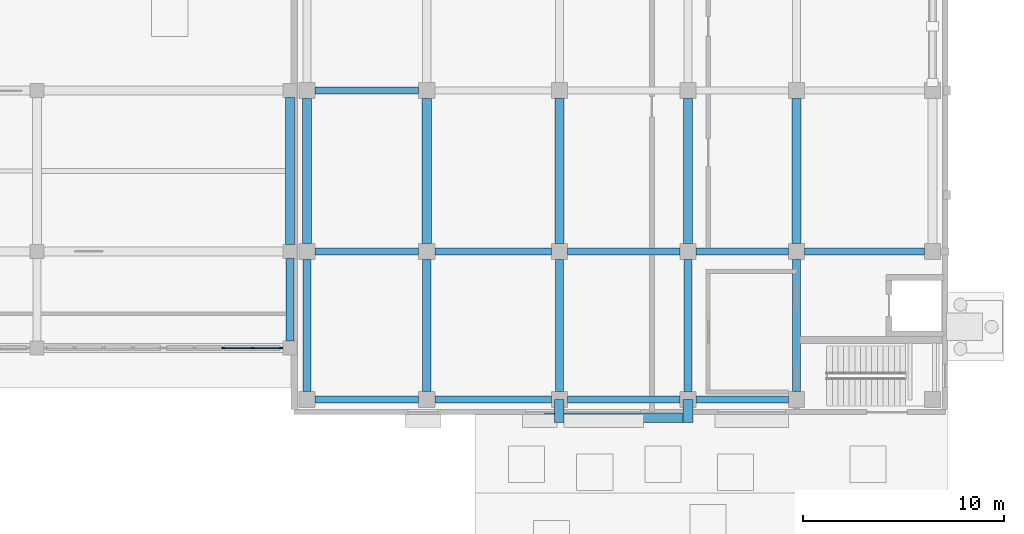
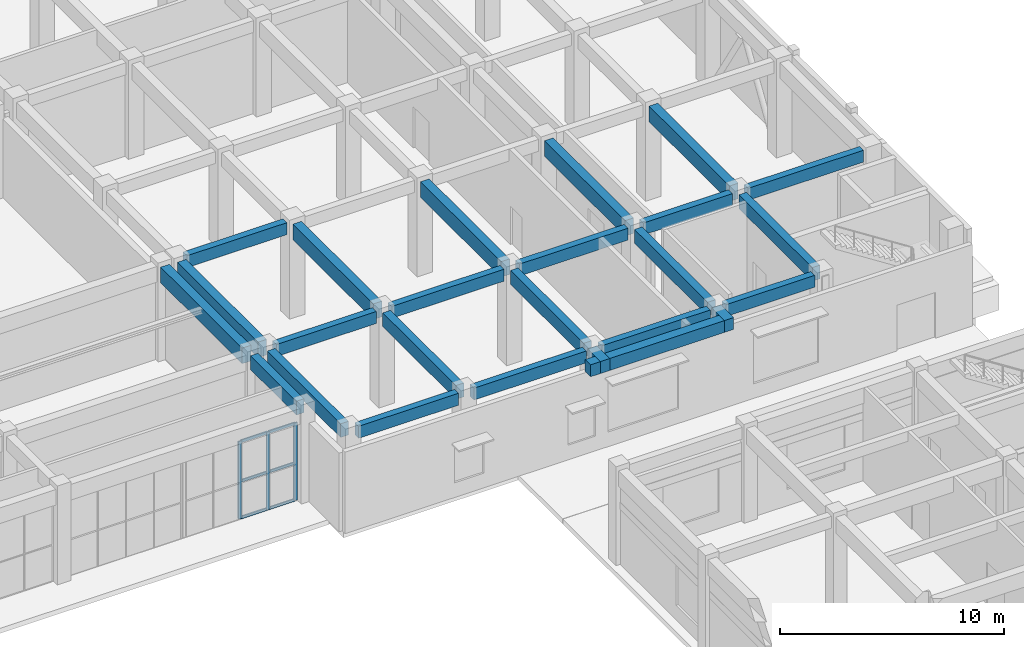
# One storey, part 20 of 46: 25 beams, 9 members, 1 element without a shape of its own.
"""IFC4 building model written with IfcOpenShell, lengths in metres."""

from ifc_helpers import new_model, si_unit, direction, frame, origin, origin_2d, place, context, subcontext, project, spatial, rectangle, extrude, material, layer, layer_set, material_profile, profile_set, type_object, element, aggregate, save


model = new_model("IFC4")

# Units and contexts
model_context = context("Model", 3, precision=1e-05, world=origin(), true_north=direction((0.0, 1.0)))
body_context = subcontext(model_context, "Body", "Model", "MODEL_VIEW")
ifc_project = project(units=[si_unit("LENGTHUNIT", "METRE"), si_unit("AREAUNIT", "SQUARE_METRE"), si_unit("VOLUMEUNIT", "CUBIC_METRE"), si_unit("PLANEANGLEUNIT", "RADIAN"), si_unit("MASSUNIT", "GRAM", prefix="KILO")], contexts=[model_context])

# Site, building, storey
site_placement = place(None, origin())
site = spatial("IfcSite", under=ifc_project, at=site_placement, CompositionType="ELEMENT")
building_placement = place(site_placement, origin())
building = spatial("IfcBuilding", under=site, at=building_placement, Name="Cinchona Park Media Centre", CompositionType="ELEMENT")
storey_placement = place(building_placement, origin())
storey = spatial("IfcBuildingStorey", under=building, at=storey_placement, Name="L00", CompositionType="ELEMENT", Elevation=0.0)

# Beams
ifc_material_1 = material(Name="Concrete C35/45", Category="concrete")
ifc_material_profile_1 = material_profile(ifc_material_1, rectangle(XDim=0.39990234375, YDim=0.75, at=origin_2d()), Name="RB 400X750")
ifc_profile_set_1 = profile_set([ifc_material_profile_1], Name="Concrete C35/45")
beam_type_1 = type_object("IfcBeamType", Name="BEAM-B01-RB400X750", PredefinedType="BEAM", material=ifc_profile_set_1)
beam_1_placement = place(storey_placement, frame((139.39990234375, 75.14990234375, 4.764892578125), z_axis=(0.0, 1.0, 0.0), x_axis=(-1.0, 0.0, 0.0)))
element("IfcBeam", 1, at=beam_1_placement, inside=storey, type_object=beam_type_1, Name="Girder B01 L00", PredefinedType="BEAM", context=body_context, shape_type="SweptSolid", body=[
    extrude(rectangle(XDim=0.39990234375, YDim=0.75, at=origin_2d()), origin(), (0.0, 0.0, 1.0), 4.10009765625),
])
for number, where, z_axis, x_axis, name in (
    (2, (140.239990234375, 72.639892578125, 4.764892578125), (0.0, 1.0, 0.0), (-1.0, 0.0, 0.0), "Girder B01 L00"),
    (3, (146.199951171875, 72.639892578125, 4.764892578125), (0.0, 1.0, 0.0), (-1.0, 0.0, 0.0), "Girder B01 L00"),
    (4, (152.800048828125, 72.639892578125, 4.764892578125), (0.0, 1.0, 0.0), (-1.0, 0.0, 0.0), "Girder B01 L00"),
    (5, (159.199951171875, 72.639892578125, 4.764892578125), (0.0, 1.0, 0.0), (-1.0, 0.0, 0.0), "Girder B01 L00"),
    (6, (164.60009765625, 72.639892578125, 4.764892578125), (0.0, 1.0, 0.0), (-1.0, 0.0, 0.0), "Girder B01 L00"),
):
    element("IfcBeam", number, at=place(storey_placement, frame(where, z_axis=z_axis, x_axis=x_axis)), inside=storey, type_object=beam_type_1, Name=name, PredefinedType="BEAM", context=body_context, shape_type="SweptSolid", body=[
        extrude(rectangle(XDim=0.39990234375, YDim=0.75, at=origin_2d()), origin(), (0.0, 0.0, 1.0), 6.56005859375),
    ])
ifc_material_2 = material(Name="Concrete C35/45", Category="concrete")
ifc_material_profile_2 = material_profile(ifc_material_2, rectangle(XDim=0.449951171875, YDim=0.85009765625, at=origin_2d()), Name="RB 450X850")
ifc_profile_set_2 = profile_set([ifc_material_profile_2], Name="Concrete C35/45")
beam_type_2 = type_object("IfcBeamType", Name="BEAM-B02-RB450X850", PredefinedType="BEAM", material=ifc_profile_set_2)
beam_2_placement = place(storey_placement, frame((139.39990234375, 79.949951171875, 4.715087890625), z_axis=(0.0, 1.0, 0.0), x_axis=(-1.0, 0.0, 0.0)))
element("IfcBeam", 7, at=beam_2_placement, inside=storey, type_object=beam_type_2, Name="Girder B02 L00", PredefinedType="BEAM", context=body_context, shape_type="SweptSolid", body=[
    extrude(rectangle(XDim=0.449951171875, YDim=0.85009765625, at=origin_2d()), origin(), (0.0, 0.0, 1.0), 7.300048828125),
])
for number, where, z_axis, x_axis, name in (
    (8, (140.239990234375, 80.0, 4.715087890625), (0.0, 1.0, 0.0), (-1.0, 0.0, 0.0), "Girder B02 L00"),
    (9, (146.199951171875, 80.0, 4.715087890625), (0.0, 1.0, 0.0), (-1.0, 0.0, 0.0), "Girder B02 L00"),
    (10, (152.800048828125, 80.0, 4.715087890625), (0.0, 1.0, 0.0), (-1.0, 0.0, 0.0), "Girder B02 L00"),
    (11, (159.199951171875, 80.0, 4.715087890625), (0.0, 1.0, 0.0), (-1.0, 0.0, 0.0), "Girder B02 L00"),
    (12, (164.60009765625, 80.0, 4.715087890625), (0.0, 1.0, 0.0), (-1.0, 0.0, 0.0), "Girder B02 L00"),
):
    element("IfcBeam", number, at=place(storey_placement, frame(where, z_axis=z_axis, x_axis=x_axis)), inside=storey, type_object=beam_type_2, Name=name, PredefinedType="BEAM", context=body_context, shape_type="SweptSolid", body=[
        extrude(rectangle(XDim=0.449951171875, YDim=0.85009765625, at=origin_2d()), origin(), (0.0, 0.0, 1.0), 7.199951171875),
    ])
ifc_material_3 = material(Name="Concrete C35/45", Category="concrete")
ifc_material_profile_3 = material_profile(ifc_material_3, rectangle(XDim=0.35009765625, YDim=0.64990234375, at=origin_2d()), Name="RB 350X650")
ifc_profile_set_3 = profile_set([ifc_material_profile_3], Name="Concrete C35/45")
beam_type_3 = type_object("IfcBeamType", Name="BEAM-B04-RB350X650", PredefinedType="BEAM", material=ifc_profile_set_3)
beam_3_placement = place(storey_placement, frame((140.639892578125, 72.239990234375, 4.81494140625), z_axis=(1.0, 0.0, 0.0), x_axis=(0.0, 1.0, 0.0)))
element("IfcBeam", 13, at=beam_3_placement, inside=storey, type_object=beam_type_3, Name="Beam B04 L00", PredefinedType="BEAM", context=body_context, shape_type="SweptSolid", body=[
    extrude(rectangle(XDim=0.35009765625, YDim=0.64990234375, at=origin_2d()), origin(), (0.0, 0.0, 1.0), 5.16015625),
])
beam_4_placement = place(storey_placement, frame((146.60009765625, 72.239990234375, 4.81494140625), z_axis=(1.0, 0.0, 0.0), x_axis=(0.0, 1.0, 0.0)))
element("IfcBeam", 14, at=beam_4_placement, inside=storey, type_object=beam_type_3, Name="Beam B04 L00", PredefinedType="BEAM", context=body_context, shape_type="SweptSolid", body=[
    extrude(rectangle(XDim=0.35009765625, YDim=0.64990234375, at=origin_2d()), origin(), (0.0, 0.0, 1.0), 5.7998046875),
])
beam_5_placement = place(storey_placement, frame((153.199951171875, 72.239990234375, 4.81494140625), z_axis=(1.0, 0.0, 0.0), x_axis=(0.0, 1.0, 0.0)))
element("IfcBeam", 15, at=beam_5_placement, inside=storey, type_object=beam_type_3, Name="Beam B04 L00", PredefinedType="BEAM", context=body_context, shape_type="SweptSolid", body=[
    extrude(rectangle(XDim=0.35009765625, YDim=0.64990234375, at=origin_2d()), origin(), (0.0, 0.0, 1.0), 5.60009765625),
])
beam_6_placement = place(storey_placement, frame((159.60009765625, 72.239990234375, 4.81494140625), z_axis=(1.0, 0.0, 0.0), x_axis=(0.0, 1.0, 0.0)))
element("IfcBeam", 16, at=beam_6_placement, inside=storey, type_object=beam_type_3, Name="Beam B04 L00", PredefinedType="BEAM", context=body_context, shape_type="SweptSolid", body=[
    extrude(rectangle(XDim=0.35009765625, YDim=0.64990234375, at=origin_2d()), origin(), (0.0, 0.0, 1.0), 4.599853515625),
])
beam_7_placement = place(storey_placement, frame((140.639892578125, 79.60009765625, 4.81494140625), z_axis=(1.0, 0.0, 0.0), x_axis=(0.0, 1.0, 0.0)))
element("IfcBeam", 17, at=beam_7_placement, inside=storey, type_object=beam_type_3, Name="Beam B04 L00", PredefinedType="BEAM", context=body_context, shape_type="SweptSolid", body=[
    extrude(rectangle(XDim=0.35009765625, YDim=0.64990234375, at=origin_2d()), origin(), (0.0, 0.0, 1.0), 5.16015625),
])
beam_8_placement = place(storey_placement, frame((146.60009765625, 79.60009765625, 4.81494140625), z_axis=(1.0, 0.0, 0.0), x_axis=(0.0, 1.0, 0.0)))
element("IfcBeam", 18, at=beam_8_placement, inside=storey, type_object=beam_type_3, Name="Beam B04 L00", PredefinedType="BEAM", context=body_context, shape_type="SweptSolid", body=[
    extrude(rectangle(XDim=0.35009765625, YDim=0.64990234375, at=origin_2d()), origin(), (0.0, 0.0, 1.0), 5.7998046875),
])
beam_9_placement = place(storey_placement, frame((153.199951171875, 79.60009765625, 4.81494140625), z_axis=(1.0, 0.0, 0.0), x_axis=(0.0, 1.0, 0.0)))
element("IfcBeam", 19, at=beam_9_placement, inside=storey, type_object=beam_type_3, Name="Beam B04 L00", PredefinedType="BEAM", context=body_context, shape_type="SweptSolid", body=[
    extrude(rectangle(XDim=0.35009765625, YDim=0.64990234375, at=origin_2d()), origin(), (0.0, 0.0, 1.0), 5.60009765625),
])
beam_10_placement = place(storey_placement, frame((159.60009765625, 79.60009765625, 4.81494140625), z_axis=(1.0, 0.0, 0.0), x_axis=(0.0, 1.0, 0.0)))
element("IfcBeam", 20, at=beam_10_placement, inside=storey, type_object=beam_type_3, Name="Beam B04 L00", PredefinedType="BEAM", context=body_context, shape_type="SweptSolid", body=[
    extrude(rectangle(XDim=0.35009765625, YDim=0.64990234375, at=origin_2d()), origin(), (0.0, 0.0, 1.0), 4.599853515625),
])
beam_11_placement = place(storey_placement, frame((165.0, 79.60009765625, 4.81494140625), z_axis=(1.0, 0.0, 0.0), x_axis=(0.0, 1.0, 0.0)))
element("IfcBeam", 21, at=beam_11_placement, inside=storey, type_object=beam_type_3, Name="Beam B04 L00", PredefinedType="BEAM", context=body_context, shape_type="SweptSolid", body=[
    extrude(rectangle(XDim=0.35009765625, YDim=0.64990234375, at=origin_2d()), origin(), (0.0, 0.0, 1.0), 5.9599609375),
])
beam_12_placement = place(storey_placement, frame((140.639892578125, 87.60009765625, 4.81494140625), z_axis=(1.0, 0.0, 0.0), x_axis=(0.0, 1.0, 0.0)))
element("IfcBeam", 22, at=beam_12_placement, inside=storey, type_object=beam_type_3, Name="Beam B04 L00", PredefinedType="BEAM", context=body_context, shape_type="SweptSolid", body=[
    extrude(rectangle(XDim=0.35009765625, YDim=0.64990234375, at=origin_2d()), origin(), (0.0, 0.0, 1.0), 5.16015625),
])
ifc_material_4 = material(Name="Concrete C40/50", Category="concrete")
ifc_material_profile_4 = material_profile(ifc_material_4, rectangle(XDim=0.47998046875, YDim=0.64990234375, at=origin_2d()), Name="RB 480X650")
ifc_profile_set_4 = profile_set([ifc_material_profile_4], Name="Concrete C40/50")
beam_type_4 = type_object("IfcBeamType", Name="BEAM-B07-RB480X650", PredefinedType="BEAM", material=ifc_profile_set_4)
for number, where, z_axis, x_axis, name in (
    (23, (152.800048828125, 72.239990234375, 4.77490234375), (0.0, -1.0, 0.0), (1.0, 0.0, 0.0), "Skybridge Support Corbel Beam B07 V7 L00"),
    (24, (159.199951171875, 72.239990234375, 4.77490234375), (0.0, -1.0, 0.0), (1.0, 0.0, 0.0), "Skybridge Support Corbel Beam B07 V7 L00"),
):
    element("IfcBeam", number, at=place(storey_placement, frame(where, z_axis=z_axis, x_axis=x_axis)), inside=storey, type_object=beam_type_4, Name=name, PredefinedType="BEAM", context=body_context, shape_type="SweptSolid", body=[
        extrude(rectangle(XDim=0.47998046875, YDim=0.64990234375, at=origin_2d()), origin(), (0.0, 0.0, 1.0), 1.159912109375),
    ])
beam_13_placement = place(storey_placement, frame((152.050048828125, 71.320068359375, 4.77490234375), z_axis=(1.0, 0.0, 0.0), x_axis=(0.0, 1.0, 0.0)))
element("IfcBeam", 25, at=beam_13_placement, inside=storey, type_object=beam_type_4, Name="Skybridge Bearing Seat Beam B07 V7 L00", PredefinedType="BEAM", context=body_context, shape_type="SweptSolid", body=[
    extrude(rectangle(XDim=0.47998046875, YDim=0.64990234375, at=origin_2d()), origin(), (0.0, 0.0, 1.0), 7.300048828125),
])

# Curtain wall, members
ifc_material_5 = material(Name="Aluminium Curtain Wall Framing", Category="aluminium")
ifc_layer = layer(ifc_material_5, 0.284912109375)
ifc_layer_set = layer_set([ifc_layer], Name="Aluminium Curtain Wall Framing")
curtain_wall_type = type_object("IfcCurtainWallType", Name="CW-CW08", PredefinedType="USERDEFINED", material=ifc_layer_set)
curtain_wall_placement = place(storey_placement, origin())
curtain_wall = element("IfcCurtainWall", 26, at=curtain_wall_placement, inside=storey, type_object=curtain_wall_type, Name="Curtain Wall CW08 L00", ObjectType="UNITISED CURTAIN WALL", PredefinedType="USERDEFINED")
ifc_material_6 = material(Name="Anodised Aluminium Alloy 6063-T6", Category="aluminium")
ifc_material_profile_5 = material_profile(ifc_material_6, rectangle(XDim=0.070068359375, YDim=0.179931640625, at=origin_2d()), Name="MUL-70X180")
ifc_profile_set_5 = profile_set([ifc_material_profile_5], Name="Anodised Aluminium Alloy 6063-T6")
member_type_1 = type_object("IfcMemberType", Name="MULLION-MUL02", PredefinedType="MULLION", material=ifc_profile_set_5)
member_1_placement = place(storey_placement, frame((138.945068359375, 74.800048828125, 0.050048828125), z_axis=(0.0, 0.0, 1.0), x_axis=(0.0, -1.0, 0.0)))
member_1 = element("IfcMember", 27, at=member_1_placement, type_object=member_type_1, Name="CW08 mullion 1", PredefinedType="MULLION", context=body_context, shape_type="SweptSolid", body=[
    extrude(rectangle(XDim=0.070068359375, YDim=0.179931640625, at=origin_2d()), origin(), (0.0, 0.0, 1.0), 4.239990234375),
])
member_2_placement = place(storey_placement, frame((137.530029296875, 74.800048828125, 0.050048828125), z_axis=(0.0, 0.0, 1.0), x_axis=(0.0, -1.0, 0.0)))
member_2 = element("IfcMember", 28, at=member_2_placement, type_object=member_type_1, Name="CW08 mullion 2", PredefinedType="MULLION", context=body_context, shape_type="SweptSolid", body=[
    extrude(rectangle(XDim=0.070068359375, YDim=0.179931640625, at=origin_2d()), origin(), (0.0, 0.0, 1.0), 4.239990234375),
])
member_3_placement = place(storey_placement, frame((136.080078125, 74.800048828125, 0.050048828125), z_axis=(0.0, 0.0, 1.0), x_axis=(0.0, -1.0, 0.0)))
member_3 = element("IfcMember", 29, at=member_3_placement, type_object=member_type_1, Name="CW08 mullion 3", PredefinedType="MULLION", context=body_context, shape_type="SweptSolid", body=[
    extrude(rectangle(XDim=0.070068359375, YDim=0.179931640625, at=origin_2d()), origin(), (0.0, 0.0, 1.0), 4.239990234375),
])
ifc_material_7 = material(Name="Anodised Aluminium Alloy 6063-T6", Category="aluminium")
ifc_material_profile_6 = material_profile(ifc_material_7, rectangle(XDim=0.070068359375, YDim=0.139892578125, at=origin_2d()), Name="TRN-70X140")
ifc_profile_set_6 = profile_set([ifc_material_profile_6], Name="Anodised Aluminium Alloy 6063-T6")
member_type_2 = type_object("IfcMemberType", Name="TRANSOM-TRN02", PredefinedType="USERDEFINED", material=ifc_profile_set_6)
member_4_placement = place(storey_placement, frame((138.909912109375, 74.800048828125, 0.0849609375), z_axis=(-1.0, 0.0, 0.0), x_axis=(0.0, -1.0, 0.0)))
member_4 = element("IfcMember", 30, at=member_4_placement, type_object=member_type_2, Name="CW08 transom 1.1", ObjectType="TRANSOM", PredefinedType="USERDEFINED", context=body_context, shape_type="SweptSolid", body=[
    extrude(rectangle(XDim=0.070068359375, YDim=0.139892578125, at=origin_2d()), origin(), (0.0, 0.0, 1.0), 1.344970703125),
])
member_5_placement = place(storey_placement, frame((138.909912109375, 74.800048828125, 2.0849609375), z_axis=(-1.0, 0.0, 0.0), x_axis=(0.0, -1.0, 0.0)))
member_5 = element("IfcMember", 31, at=member_5_placement, type_object=member_type_2, Name="CW08 transom 1.2", ObjectType="TRANSOM", PredefinedType="USERDEFINED", context=body_context, shape_type="SweptSolid", body=[
    extrude(rectangle(XDim=0.070068359375, YDim=0.139892578125, at=origin_2d()), origin(), (0.0, 0.0, 1.0), 1.344970703125),
])
member_6_placement = place(storey_placement, frame((138.909912109375, 74.800048828125, 4.2548828125), z_axis=(-1.0, 0.0, 0.0), x_axis=(0.0, -1.0, 0.0)))
member_6 = element("IfcMember", 32, at=member_6_placement, type_object=member_type_2, Name="CW08 transom 1.3", ObjectType="TRANSOM", PredefinedType="USERDEFINED", context=body_context, shape_type="SweptSolid", body=[
    extrude(rectangle(XDim=0.070068359375, YDim=0.139892578125, at=origin_2d()), origin(), (0.0, 0.0, 1.0), 1.344970703125),
])
member_7_placement = place(storey_placement, frame((137.4951171875, 74.800048828125, 0.0849609375), z_axis=(-1.0, 0.0, 0.0), x_axis=(0.0, -1.0, 0.0)))
member_7 = element("IfcMember", 33, at=member_7_placement, type_object=member_type_2, Name="CW08 transom 2.1", ObjectType="TRANSOM", PredefinedType="USERDEFINED", context=body_context, shape_type="SweptSolid", body=[
    extrude(rectangle(XDim=0.070068359375, YDim=0.139892578125, at=origin_2d()), origin(), (0.0, 0.0, 1.0), 1.380126953125),
])
member_8_placement = place(storey_placement, frame((137.4951171875, 74.800048828125, 2.0849609375), z_axis=(-1.0, 0.0, 0.0), x_axis=(0.0, -1.0, 0.0)))
member_8 = element("IfcMember", 34, at=member_8_placement, type_object=member_type_2, Name="CW08 transom 2.2", ObjectType="TRANSOM", PredefinedType="USERDEFINED", context=body_context, shape_type="SweptSolid", body=[
    extrude(rectangle(XDim=0.070068359375, YDim=0.139892578125, at=origin_2d()), origin(), (0.0, 0.0, 1.0), 1.380126953125),
])
member_9_placement = place(storey_placement, frame((137.4951171875, 74.800048828125, 4.2548828125), z_axis=(-1.0, 0.0, 0.0), x_axis=(0.0, -1.0, 0.0)))
member_9 = element("IfcMember", 35, at=member_9_placement, type_object=member_type_2, Name="CW08 transom 2.3", ObjectType="TRANSOM", PredefinedType="USERDEFINED", context=body_context, shape_type="SweptSolid", body=[
    extrude(rectangle(XDim=0.070068359375, YDim=0.139892578125, at=origin_2d()), origin(), (0.0, 0.0, 1.0), 1.380126953125),
])
aggregate(curtain_wall, [member_1, member_2, member_3, member_4, member_5, member_6, member_7, member_8, member_9])

save(model, "model.ifc")
